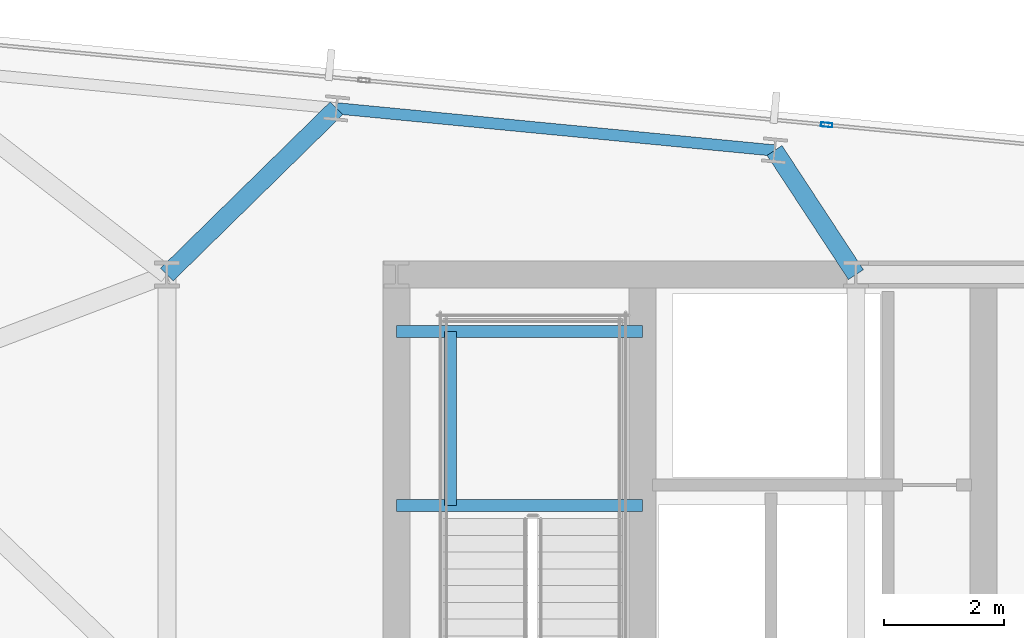
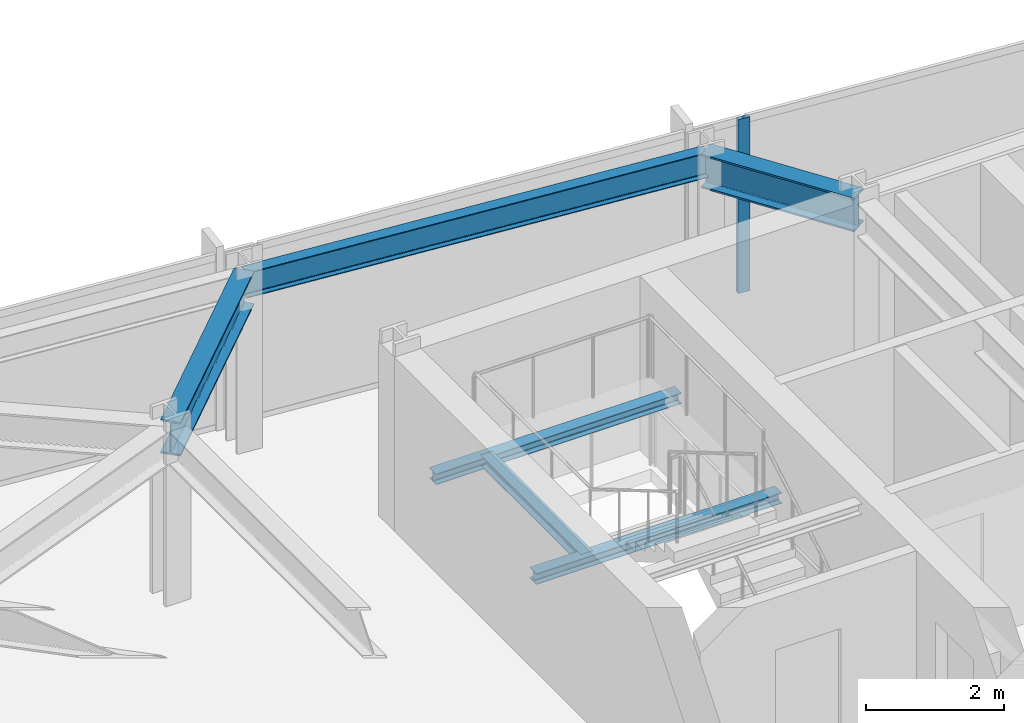
# One storey, part 24 of 37: 6 beams, 1 member, 1 element without a shape of its own.
"""IFC4 building model written with IfcOpenShell, lengths in metres."""

from ifc_helpers import new_model, si_unit, direction, frame, origin, origin_2d, place, context, subcontext, project, spatial, hollow_rectangle, i_section, extrude, material, material_profile, profile_set, type_object, element, aggregate, save


model = new_model("IFC4")

# Units and contexts
model_context = context("Model", 3, precision=1e-05, world=origin(), true_north=direction((0.0, 1.0)))
body_context = subcontext(model_context, "Body", "Model", "MODEL_VIEW")
ifc_project = project(units=[si_unit("LENGTHUNIT", "METRE"), si_unit("AREAUNIT", "SQUARE_METRE"), si_unit("VOLUMEUNIT", "CUBIC_METRE"), si_unit("PLANEANGLEUNIT", "RADIAN"), si_unit("MASSUNIT", "GRAM", prefix="KILO")], contexts=[model_context])

# Site, building, storey
site_placement = place(None, origin())
site = spatial("IfcSite", under=ifc_project, at=site_placement, CompositionType="ELEMENT")
building_placement = place(site_placement, origin())
building = spatial("IfcBuilding", under=site, at=building_placement, Name="Yelkora Congress Tower", CompositionType="ELEMENT")
storey_placement = place(building_placement, frame((0.0, 0.0, 165.5)))
storey = spatial("IfcBuildingStorey", under=building, at=storey_placement, Name="L45", CompositionType="ELEMENT", Elevation=165.5)

# Beams
ifc_material_1 = material(Name="Steel S355J2", Category="steel")
ifc_material_profile_1 = material_profile(ifc_material_1, i_section(OverallWidth=0.300048828125, OverallDepth=0.60009765625, WebThickness=0.015380859375, FlangeThickness=0.030029296875, FilletRadius=0.027099609375, at=origin_2d()), Name="HEB 600")
ifc_profile_set_1 = profile_set([ifc_material_profile_1], Name="Steel S355J2")
beam_type_1 = type_object("IfcBeamType", Name="BM-GIRD-HEB600", PredefinedType="BEAM", material=ifc_profile_set_1)
beam_1_placement = place(storey_placement, frame((22.035400390625, 48.980224609375, 2.780029296875), z_axis=(-0.714019806588, -0.700125500036, 0.0), x_axis=(0.700125500036, -0.714019806588, 0.0)))
element("IfcBeam", 1, at=beam_1_placement, inside=storey, type_object=beam_type_1, Name="L45 Primary Frame Girder N03", PredefinedType="BEAM", context=body_context, shape_type="SweptSolid", body=[
    extrude(i_section(OverallWidth=0.300048828125, OverallDepth=0.60009765625, WebThickness=0.015380859375, FlangeThickness=0.030029296875, FilletRadius=0.027099609375, at=origin_2d()), origin(), (0.0, 0.0, 1.0), 3.97119140625),
])
beam_2_placement = place(storey_placement, frame((29.358642578125, 48.275146484375, 2.780029296875), z_axis=(0.548510321976, -0.8361437835, 0.0), x_axis=(0.8361437835, 0.548510321976, 0.0)))
element("IfcBeam", 2, at=beam_2_placement, inside=storey, type_object=beam_type_1, Name="L45 Primary Frame Girder N04", PredefinedType="BEAM", context=body_context, shape_type="SweptSolid", body=[
    extrude(i_section(OverallWidth=0.300048828125, OverallDepth=0.60009765625, WebThickness=0.015380859375, FlangeThickness=0.030029296875, FilletRadius=0.027099609375, at=origin_2d()), origin(), (0.0, 0.0, 1.0), 2.48193359375),
])
ifc_material_profile_2 = material_profile(ifc_material_1, i_section(OverallWidth=0.199951171875, OverallDepth=0.18994140625, WebThickness=0.006591796875, FlangeThickness=0.010009765625, FilletRadius=0.01806640625, at=origin_2d()), Name="HEA 200")
ifc_profile_set_2 = profile_set([ifc_material_profile_2], Name="Steel S355J2")
beam_type_2 = type_object("IfcBeamType", Name="BM-LAND-HEA200", PredefinedType="BEAM", material=ifc_profile_set_2)
for number, where, z_axis, x_axis, name in (
    (3, (23.0400390625, 42.340087890625, 1.334716796875), (1.0, 0.0, 0.0), (0.0, 1.0, 0.0), "ST-01 L45 Landing Header Beam 1S"),
    (4, (23.0400390625, 45.25, 1.334716796875), (1.0, 0.0, 0.0), (0.0, 1.0, 0.0), "ST-01 L45 Landing Header Beam 1N"),
):
    element("IfcBeam", number, at=place(storey_placement, frame(where, z_axis=z_axis, x_axis=x_axis)), inside=storey, type_object=beam_type_2, Name=name, PredefinedType="BEAM", context=body_context, shape_type="SweptSolid", body=[
        extrude(i_section(OverallWidth=0.199951171875, OverallDepth=0.18994140625, WebThickness=0.006591796875, FlangeThickness=0.010009765625, FilletRadius=0.01806640625, at=origin_2d()), origin(), (0.0, 0.0, 1.0), 4.10986328125),
    ])
beam_3_placement = place(storey_placement, frame((23.93994140625, 42.340087890625, 1.334716796875), z_axis=(0.0, 1.0, 0.0), x_axis=(-1.0, 0.0, 0.0)))
element("IfcBeam", 5, at=beam_3_placement, inside=storey, type_object=beam_type_2, Name="ST-01 L45 Landing Trimmer Beam 1M", PredefinedType="BEAM", context=body_context, shape_type="SweptSolid", body=[
    extrude(i_section(OverallWidth=0.199951171875, OverallDepth=0.18994140625, WebThickness=0.006591796875, FlangeThickness=0.010009765625, FilletRadius=0.01806640625, at=origin_2d()), origin(), (0.0, 0.0, 1.0), 2.909912109375),
])
ifc_material_profile_3 = material_profile(ifc_material_1, i_section(OverallWidth=0.18994140625, OverallDepth=0.449951171875, WebThickness=0.009521484375, FlangeThickness=0.0146484375, FilletRadius=0.02099609375, at=origin_2d()), Name="IPE 450")
ifc_profile_set_3 = profile_set([ifc_material_profile_3], Name="Steel S355J2")
beam_type_3 = type_object("IfcBeamType", Name="BM-SPAN-IPE450", PredefinedType="SPANDREL", material=ifc_profile_set_3)
beam_4_placement = place(storey_placement, frame((29.358642578125, 48.275146484375, 2.85498046875), z_axis=(-0.995397104697, 0.095836339457, 0.0), x_axis=(-0.095836339457, -0.995397104697, 0.0)))
element("IfcBeam", 6, at=beam_4_placement, inside=storey, type_object=beam_type_3, Name="L45 Perimeter Beam 13", PredefinedType="SPANDREL", context=body_context, shape_type="SweptSolid", body=[
    extrude(i_section(OverallWidth=0.18994140625, OverallDepth=0.449951171875, WebThickness=0.009521484375, FlangeThickness=0.0146484375, FilletRadius=0.02099609375, at=origin_2d()), origin(), (0.0, 0.0, 1.0), 7.357177734375),
])

# Curtain wall, member
ifc_material_2 = material(Name="Anodised aluminium and insulated glass", Category="aluminium")
curtain_wall_type = type_object("IfcCurtainWallType", Name="CW-SYS-B3", PredefinedType="NOTDEFINED", material=ifc_material_2)
curtain_wall_placement = place(storey_placement, origin())
curtain_wall = element("IfcCurtainWall", 7, at=curtain_wall_placement, inside=storey, type_object=curtain_wall_type, Name="L45 Unitised Curtain Wall 10 (1)", PredefinedType="NOTDEFINED")
ifc_material_3 = material(Name="Anodised aluminium 6063-T6", Category="aluminium")
ifc_material_profile_4 = material_profile(ifc_material_3, hollow_rectangle(XDim=0.070068359375, YDim=0.18994140625, WallThickness=0.00390625, at=origin_2d()), Name="ALU 70x190x4")
ifc_profile_set_4 = profile_set([ifc_material_profile_4], Name="Anodised aluminium 6063-T6")
member_type = type_object("IfcMemberType", Name="MEM-ML-B3", PredefinedType="MULLION", material=ifc_profile_set_4)
member_placement = place(storey_placement, frame((30.230224609375, 48.70361328125, 0.0), z_axis=(0.0, 0.0, 1.0), x_axis=(0.095844761168, 0.995396293823, 0.0)))
member = element("IfcMember", 8, at=member_placement, type_object=member_type, Name="CW-B3 mullion 4", PredefinedType="MULLION", context=body_context, shape_type="SweptSolid", body=[
    extrude(hollow_rectangle(XDim=0.070068359375, YDim=0.18994140625, WallThickness=0.00390625, at=origin_2d()), origin(), (0.0, 0.0, 1.0), 3.080078125),
])
aggregate(curtain_wall, [member])

save(model, "model.ifc")
